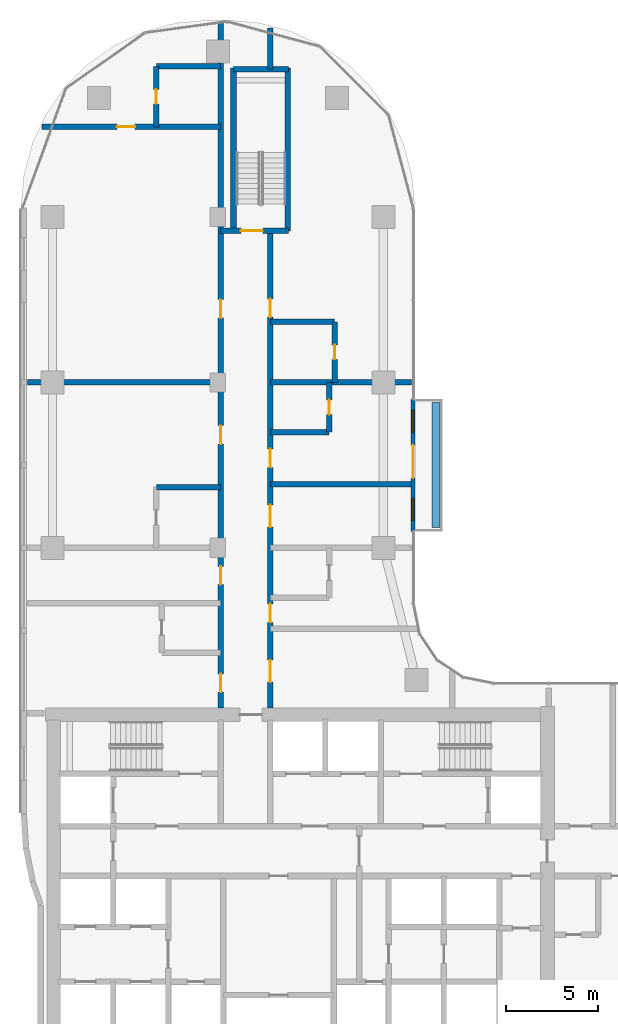
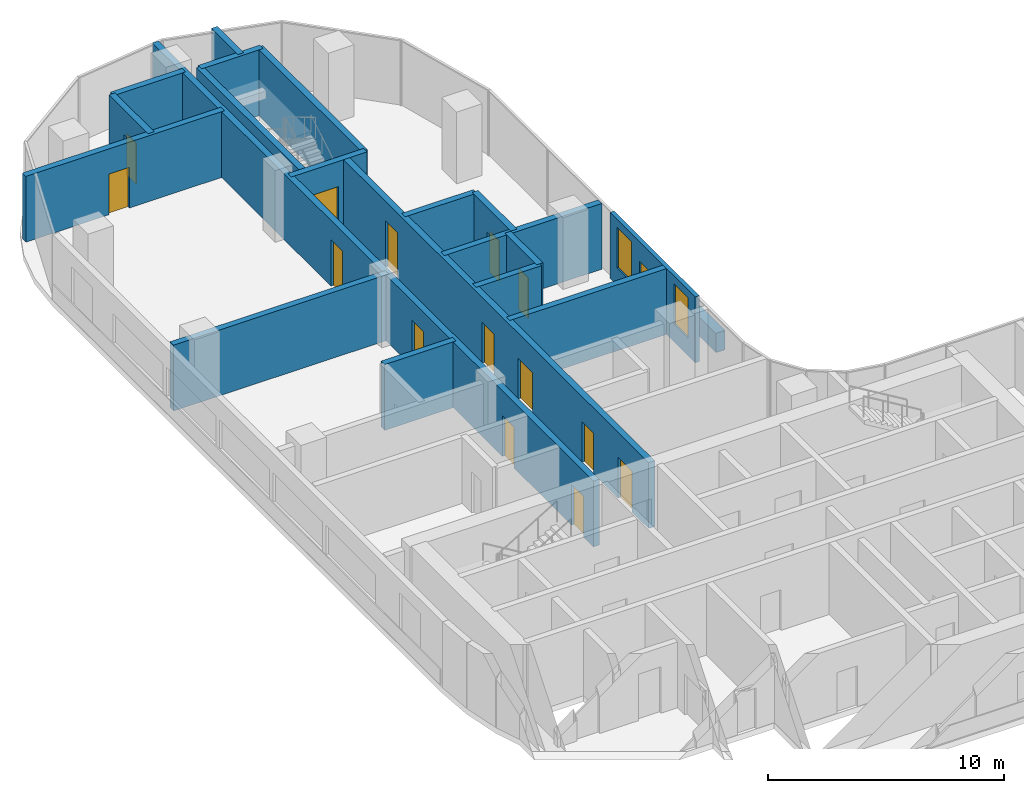
# One storey, part 13 of 23: 20 walls, 15 doors, 2 windows, 17 openings.
"""IFC4 building model written with IfcOpenShell, lengths in metres."""

from ifc_helpers import new_model, si_unit, direction, frame, frame_2d, origin, origin_2d, place, context, subcontext, project, spatial, rectangle, extrude, material, layer, layer_set, type_object, element, fill, save


model = new_model("IFC4")

# Units and contexts
model_context = context("Model", 3, precision=1e-05, world=origin(), true_north=direction((0.0, 1.0)))
body_context = subcontext(model_context, "Body", "Model", "MODEL_VIEW")
ifc_project = project(units=[si_unit("LENGTHUNIT", "METRE"), si_unit("AREAUNIT", "SQUARE_METRE"), si_unit("VOLUMEUNIT", "CUBIC_METRE"), si_unit("PLANEANGLEUNIT", "RADIAN"), si_unit("MASSUNIT", "GRAM", prefix="KILO")], contexts=[model_context])

# Site, building, storey
site_placement = place(None, origin())
site = spatial("IfcSite", under=ifc_project, at=site_placement, CompositionType="ELEMENT")
building_placement = place(site_placement, origin())
building = spatial("IfcBuilding", under=site, at=building_placement, Name="Ogive Portal Towers", CompositionType="ELEMENT")
storey_placement = place(building_placement, frame((0.0, 0.0, 127.800048828125)))
storey = spatial("IfcBuildingStorey", under=building, at=storey_placement, Name="L31", CompositionType="ELEMENT", Elevation=127.800048828125)

# Wall, openings, door, windows
ifc_material_1 = material(Name="Limestone cladding on lightweight block wall", Category="masonry")
ifc_layer_1 = layer(ifc_material_1, 0.199951171875)
ifc_layer_set_1 = layer_set([ifc_layer_1], Name="BALCONY BAY WALL 200")
wall_type_1 = type_object("IfcWallType", Name="BALCONY BAY WALL 200", PredefinedType="SOLIDWALL", material=ifc_layer_set_1)
wall_1_placement = place(storey_placement, frame((51.114990234375, 56.60009765625, 0.0), z_axis=(0.0, 0.0, 1.0), x_axis=(0.0, -1.0, 0.0)))
wall_1 = element("IfcWall", 1, at=wall_1_placement, inside=storey, type_object=wall_type_1, Name="A:L31:f18:bay0", PredefinedType="SOLIDWALL", context=body_context, shape_type="SweptSolid", body=[
    extrude(rectangle(XDim=7.2001953125, YDim=0.199951171875, at=frame_2d((3.60009765625, 0.0))), origin(), (0.0, 0.0, 1.0), 3.39990234375),
])
opening_1_placement = place(wall_1_placement, frame((2.5, 0.0, 0.0)))
opening_1 = element("IfcOpeningElement", 2, at=opening_1_placement, cuts=wall_1, Name="Opening DX038", PredefinedType="OPENING", context=body_context, shape_type="SweptSolid", body=[
    extrude(rectangle(XDim=1.800048828125, YDim=2.39990234375, at=frame_2d((0.89990234375, 1.199951171875))), frame((0.0, 0.10986328125, 0.0), z_axis=(0.0, -1.0, 0.0), x_axis=(1.0, 0.0, 0.0)), (0.0, 0.0, 1.0), 0.219970703125),
])
opening_2_placement = place(wall_1_placement, frame((5.39990234375, 0.0, 0.89990234375)))
opening_2 = element("IfcOpeningElement", 3, at=opening_2_placement, cuts=wall_1, Name="Opening WN2", PredefinedType="OPENING", context=body_context, shape_type="SweptSolid", body=[
    extrude(rectangle(XDim=1.199951171875, YDim=2.10009765625, at=frame_2d((0.60009765625, 1.050048828125))), frame((0.0, 0.10986328125, 0.0), z_axis=(0.0, -1.0, 0.0), x_axis=(1.0, 0.0, 0.0)), (0.0, 0.0, 1.0), 0.219970703125),
])
opening_3_placement = place(wall_1_placement, frame((0.60009765625, 0.0, 0.89990234375)))
opening_3 = element("IfcOpeningElement", 4, at=opening_3_placement, cuts=wall_1, Name="Opening WN2", PredefinedType="OPENING", context=body_context, shape_type="SweptSolid", body=[
    extrude(rectangle(XDim=1.199951171875, YDim=2.10009765625, at=frame_2d((0.60009765625, 1.050048828125))), frame((0.0, 0.10986328125, 0.0), z_axis=(0.0, -1.0, 0.0), x_axis=(1.0, 0.0, 0.0)), (0.0, 0.0, 1.0), 0.219970703125),
])
ifc_material_2 = material(Name="Aluminium 6063 anodised", Category="aluminium")
door_type_1 = type_object("IfcDoorType", Name="BALCONY DOOR 1800x2400", OperationType="DOUBLE_DOOR_SINGLE_SWING", PredefinedType="DOOR", material=ifc_material_2)
door_1_placement = place(opening_1_placement, origin())
door_1 = element("IfcDoor", 5, at=door_1_placement, inside=storey, type_object=door_type_1, Name="A:L31:f18:bay0/o0", OperationType="SINGLE_SWING_LEFT", OverallHeight=2.39990234375, OverallWidth=1.800048828125, PredefinedType="DOOR", context=body_context, shape_type="SweptSolid", body=[
    extrude(rectangle(XDim=1.800048828125, YDim=2.39990234375, at=frame_2d((0.89990234375, 1.199951171875))), frame((0.0, 0.02490234375, 0.0), z_axis=(0.0, -1.0, 0.0), x_axis=(1.0, 0.0, 0.0)), (0.0, 0.0, 1.0), 0.050048828125),
])
fill(opening_1, door_1)
ifc_material_3 = material(Name="Glass, clear low-iron insulated glazing", Category="glass")
window_type = type_object("IfcWindowType", Name="WINDOW BALCONY BAY 1200x2100", PartitioningType="SINGLE_PANEL", PredefinedType="WINDOW", material=ifc_material_3)
window_1_placement = place(opening_2_placement, origin())
window_1 = element("IfcWindow", 6, at=window_1_placement, inside=storey, type_object=window_type, Name="A:L31:f18:bay0/o1", OverallHeight=2.10009765625, OverallWidth=1.199951171875, PartitioningType="SINGLE_PANEL", PredefinedType="WINDOW", context=body_context, shape_type="SweptSolid", body=[
    extrude(rectangle(XDim=1.199951171875, YDim=2.10009765625, at=frame_2d((0.60009765625, 1.050048828125))), frame((0.0, 0.030029296875, 0.0), z_axis=(0.0, -1.0, 0.0), x_axis=(1.0, 0.0, 0.0)), (0.0, 0.0, 1.0), 0.06005859375),
])
fill(opening_2, window_1)
window_2_placement = place(opening_3_placement, origin())
window_2 = element("IfcWindow", 7, at=window_2_placement, inside=storey, type_object=window_type, Name="A:L31:f18:bay0/o2", OverallHeight=2.10009765625, OverallWidth=1.199951171875, PartitioningType="SINGLE_PANEL", PredefinedType="WINDOW", context=body_context, shape_type="SweptSolid", body=[
    extrude(rectangle(XDim=1.199951171875, YDim=2.10009765625, at=frame_2d((0.60009765625, 1.050048828125))), frame((0.0, 0.030029296875, 0.0), z_axis=(0.0, -1.0, 0.0), x_axis=(1.0, 0.0, 0.0)), (0.0, 0.0, 1.0), 0.06005859375),
])
fill(opening_3, window_2)

# Wall
ifc_material_4 = material(Name="Concrete C40/50", Category="concrete")
ifc_layer_2 = layer(ifc_material_4, 0.449951171875)
ifc_layer_set_2 = layer_set([ifc_layer_2], Name="PLANTER WALL 450")
wall_type_2 = type_object("IfcWallType", Name="PLANTER WALL 450", PredefinedType="SOLIDWALL", material=ifc_layer_set_2)
wall_2_placement = place(storey_placement, frame((52.3701171875, 53.0, 0.0), z_axis=(0.0, 0.0, 1.0), x_axis=(1.0, 0.0, 0.0)))
element("IfcWall", 8, at=wall_2_placement, inside=storey, type_object=wall_type_2, Name="Planter S1", PredefinedType="SOLIDWALL", context=body_context, shape_type="SweptSolid", body=[
    extrude(rectangle(XDim=0.449951171875, YDim=6.800048828125, at=origin_2d()), origin(), (0.0, 0.0, 1.0), 1.0),
])

# Wall, opening, door
ifc_material_5 = material(Name="Concrete C50/60", Category="concrete")
ifc_layer_3 = layer(ifc_material_5, 0.300048828125)
ifc_layer_set_3 = layer_set([ifc_layer_3], Name="STAIR WALL 300 C50")
wall_type_3 = type_object("IfcWallType", Name="STAIR WALL 300 C50", PredefinedType="SHEAR", material=ifc_layer_set_3)
wall_3_placement = place(storey_placement, frame((40.64990234375, 65.75, 0.0), z_axis=(0.0, 0.0, 1.0), x_axis=(1.0, 0.0, 0.0)))
wall_3 = element("IfcWall", 9, at=wall_3_placement, inside=storey, type_object=wall_type_3, Name="Stair wall ST-A3 L31", PredefinedType="SHEAR", context=body_context, shape_type="SweptSolid", body=[
    extrude(rectangle(XDim=3.7001953125, YDim=0.300048828125, at=frame_2d((1.85009765625, 0.0))), origin(), (0.0, 0.0, 1.0), 3.39990234375),
])
opening_4_placement = place(wall_3_placement, frame((1.10009765625, 0.0, 0.0)))
opening_4 = element("IfcOpeningElement", 10, at=opening_4_placement, cuts=wall_3, Name="Opening D11-065", PredefinedType="OPENING", context=body_context, shape_type="SweptSolid", body=[
    extrude(rectangle(XDim=1.199951171875, YDim=2.10009765625, at=frame_2d((0.60009765625, 1.050048828125))), frame((0.0, 0.16015625, 0.0), z_axis=(0.0, -1.0, 0.0), x_axis=(1.0, 0.0, 0.0)), (0.0, 0.0, 1.0), 0.320068359375),
])
ifc_material_6 = material(Name="Steel fire door", Category="steel")
door_type_2 = type_object("IfcDoorType", Name="DT-STAIR-1200x2100-FD90S", OperationType="SINGLE_SWING_LEFT", PredefinedType="DOOR", material=ifc_material_6)
door_2_placement = place(opening_4_placement, origin())
door_2 = element("IfcDoor", 11, at=door_2_placement, inside=storey, type_object=door_type_2, Name="Door D11-065", OperationType="SINGLE_SWING_RIGHT", OverallHeight=2.10009765625, OverallWidth=1.199951171875, PredefinedType="DOOR", context=body_context, shape_type="SweptSolid", body=[
    extrude(rectangle(XDim=1.199951171875, YDim=2.10009765625, at=frame_2d((0.60009765625, 1.050048828125))), frame((0.0, 0.02490234375, 0.0), z_axis=(0.0, -1.0, 0.0), x_axis=(1.0, 0.0, 0.0)), (0.0, 0.0, 1.0), 0.050048828125),
])
fill(opening_4, door_2)

# Walls
wall_4_placement = place(storey_placement, frame((41.35009765625, 74.550048828125, 0.0), z_axis=(0.0, 0.0, 1.0), x_axis=(1.0, 0.0, 0.0)))
element("IfcWall", 12, at=wall_4_placement, inside=storey, type_object=wall_type_3, Name="Stair wall ST-A3 L31", PredefinedType="SHEAR", context=body_context, shape_type="SweptSolid", body=[
    extrude(rectangle(XDim=3.0, YDim=0.300048828125, at=frame_2d((1.5, 0.0))), origin(), (0.0, 0.0, 1.0), 3.39990234375),
])
for number, where, z_axis, x_axis, name in (
    (13, (41.35009765625, 65.75, 0.0), (0.0, 0.0, 1.0), (0.0, 1.0, 0.0), "Stair wall ST-A3 L31"),
    (14, (44.300048828125, 65.75, 0.0), (0.0, 0.0, 1.0), (0.0, 1.0, 0.0), "Stair wall ST-A3 L31"),
):
    element("IfcWall", number, at=place(storey_placement, frame(where, z_axis=z_axis, x_axis=x_axis)), inside=storey, type_object=wall_type_3, Name=name, PredefinedType="SHEAR", context=body_context, shape_type="SweptSolid", body=[
        extrude(rectangle(XDim=8.85009765625, YDim=0.300048828125, at=frame_2d((4.425048828125, 0.0))), origin(), (0.0, 0.0, 1.0), 3.39990234375),
    ])
ifc_material_7 = material(Name="Gypsum board partition on steel studs", Category="steel")
ifc_layer_4 = layer(ifc_material_7, 0.300048828125)
ifc_layer_set_4 = layer_set([ifc_layer_4], Name="WT-PART-300-EI 60")
wall_type_4 = type_object("IfcWallType", Name="WT-PART-300-EI 60", PredefinedType="PARTITIONING", material=ifc_layer_set_4)
wall_5_placement = place(storey_placement, frame((37.14990234375, 51.800048828125, 0.0), z_axis=(0.0, 0.0, 1.0), x_axis=(1.0, 0.0, 0.0)))
element("IfcWall", 15, at=wall_5_placement, inside=storey, type_object=wall_type_4, Name="Wall L31:w022", PredefinedType="PARTITIONING", context=body_context, shape_type="SweptSolid", body=[
    extrude(rectangle(XDim=3.5, YDim=0.300048828125, at=frame_2d((1.75, 0.0))), origin(), (0.0, 0.0, 1.0), 3.39990234375),
])
wall_6_placement = place(storey_placement, frame((43.35009765625, 51.969970703125, 0.0), z_axis=(0.0, 0.0, 1.0), x_axis=(1.0, 0.0, 0.0)))
element("IfcWall", 16, at=wall_6_placement, inside=storey, type_object=wall_type_4, Name="Wall L31:w023", PredefinedType="PARTITIONING", context=body_context, shape_type="SweptSolid", body=[
    extrude(rectangle(XDim=7.65478515625, YDim=0.300048828125, at=frame_2d((3.827392578125, 0.0))), origin(), (0.0, 0.0, 1.0), 3.39990234375),
])
wall_7_placement = place(storey_placement, frame((43.35009765625, 54.800048828125, 0.0), z_axis=(0.0, 0.0, 1.0), x_axis=(1.0, 0.0, 0.0)))
element("IfcWall", 17, at=wall_7_placement, inside=storey, type_object=wall_type_4, Name="Wall L31:w024", PredefinedType="PARTITIONING", context=body_context, shape_type="SweptSolid", body=[
    extrude(rectangle(XDim=3.199951171875, YDim=0.300048828125, at=frame_2d((1.60009765625, 0.0))), origin(), (0.0, 0.0, 1.0), 3.39990234375),
])
wall_8_placement = place(storey_placement, frame((30.135009765625, 57.5, 0.0), z_axis=(0.0, 0.0, 1.0), x_axis=(1.0, 0.0, 0.0)))
element("IfcWall", 18, at=wall_8_placement, inside=storey, type_object=wall_type_4, Name="Wall L31:w025", PredefinedType="PARTITIONING", context=body_context, shape_type="SweptSolid", body=[
    extrude(rectangle(XDim=10.514892578125, YDim=0.300048828125, at=frame_2d((5.25732421875, 0.0))), origin(), (0.0, 0.0, 1.0), 3.39990234375),
])
wall_9_placement = place(storey_placement, frame((43.35009765625, 57.5, 0.0), z_axis=(0.0, 0.0, 1.0), x_axis=(1.0, 0.0, 0.0)))
element("IfcWall", 19, at=wall_9_placement, inside=storey, type_object=wall_type_4, Name="Wall L31:w026", PredefinedType="PARTITIONING", context=body_context, shape_type="SweptSolid", body=[
    extrude(rectangle(XDim=7.69482421875, YDim=0.300048828125, at=frame_2d((3.847412109375, 0.0))), origin(), (0.0, 0.0, 1.0), 3.39990234375),
])
wall_10_placement = place(storey_placement, frame((43.35009765625, 60.800048828125, 0.0), z_axis=(0.0, 0.0, 1.0), x_axis=(1.0, 0.0, 0.0)))
element("IfcWall", 20, at=wall_10_placement, inside=storey, type_object=wall_type_4, Name="Wall L31:w027", PredefinedType="PARTITIONING", context=body_context, shape_type="SweptSolid", body=[
    extrude(rectangle(XDim=3.5, YDim=0.300048828125, at=frame_2d((1.75, 0.0))), origin(), (0.0, 0.0, 1.0), 3.39990234375),
])

# Wall, opening, door
wall_11_placement = place(storey_placement, frame((30.944091796875, 71.39990234375, 0.0), z_axis=(0.0, 0.0, 1.0), x_axis=(1.0, 0.0, 0.0)))
wall_11 = element("IfcWall", 21, at=wall_11_placement, inside=storey, type_object=wall_type_4, Name="Wall L31:w029", PredefinedType="PARTITIONING", context=body_context, shape_type="SweptSolid", body=[
    extrude(rectangle(XDim=9.705810546875, YDim=0.300048828125, at=frame_2d((4.85302734375, 0.0))), origin(), (0.0, 0.0, 1.0), 3.39990234375),
])
opening_5_placement = place(wall_11_placement, frame((4.055908203125, 0.0, 0.0)))
opening_5 = element("IfcOpeningElement", 22, at=opening_5_placement, cuts=wall_11, Name="Opening D11-059", PredefinedType="OPENING", context=body_context, shape_type="SweptSolid", body=[
    extrude(rectangle(XDim=1.0, YDim=2.10009765625, at=frame_2d((0.5, 1.050048828125))), frame((0.0, 0.16015625, 0.0), z_axis=(0.0, -1.0, 0.0), x_axis=(1.0, 0.0, 0.0)), (0.0, 0.0, 1.0), 0.320068359375),
])
door_type_3 = type_object("IfcDoorType", Name="DT-ENTRY-1000x2100-FD60S", OperationType="SINGLE_SWING_LEFT", PredefinedType="DOOR", material=ifc_material_6)
door_3_placement = place(opening_5_placement, origin())
door_3 = element("IfcDoor", 23, at=door_3_placement, inside=storey, type_object=door_type_3, Name="Door D11-059", OperationType="SINGLE_SWING_RIGHT", OverallHeight=2.10009765625, OverallWidth=1.0, PredefinedType="DOOR", context=body_context, shape_type="SweptSolid", body=[
    extrude(rectangle(XDim=1.0, YDim=2.10009765625, at=frame_2d((0.5, 1.050048828125))), frame((0.0, 0.02490234375, 0.0), z_axis=(0.0, -1.0, 0.0), x_axis=(1.0, 0.0, 0.0)), (0.0, 0.0, 1.0), 0.050048828125),
])
fill(opening_5, door_3)

# Wall
wall_12_placement = place(storey_placement, frame((37.14990234375, 74.699951171875, 0.0), z_axis=(0.0, 0.0, 1.0), x_axis=(1.0, 0.0, 0.0)))
element("IfcWall", 24, at=wall_12_placement, inside=storey, type_object=wall_type_4, Name="Wall L31:w031", PredefinedType="PARTITIONING", context=body_context, shape_type="SweptSolid", body=[
    extrude(rectangle(XDim=3.5, YDim=0.300048828125, at=frame_2d((1.75, 0.0))), origin(), (0.0, 0.0, 1.0), 3.39990234375),
])

# Wall, opening, door
wall_13_placement = place(storey_placement, frame((37.14990234375, 71.39990234375, 0.0), z_axis=(0.0, 0.0, 1.0), x_axis=(0.0, 1.0, 0.0)))
wall_13 = element("IfcWall", 25, at=wall_13_placement, inside=storey, type_object=wall_type_4, Name="Wall L31:w033", PredefinedType="PARTITIONING", context=body_context, shape_type="SweptSolid", body=[
    extrude(rectangle(XDim=3.300048828125, YDim=0.300048828125, at=frame_2d((1.64990234375, 0.0))), origin(), (0.0, 0.0, 1.0), 3.39990234375),
])
opening_6_placement = place(wall_13_placement, frame((1.25, 0.0, 0.0)))
opening_6 = element("IfcOpeningElement", 26, at=opening_6_placement, cuts=wall_13, Name="Opening D11-060", PredefinedType="OPENING", context=body_context, shape_type="SweptSolid", body=[
    extrude(rectangle(XDim=0.800048828125, YDim=2.10009765625, at=frame_2d((0.39990234375, 1.050048828125))), frame((0.0, 0.16015625, 0.0), z_axis=(0.0, -1.0, 0.0), x_axis=(1.0, 0.0, 0.0)), (0.0, 0.0, 1.0), 0.320068359375),
])
door_type_4 = type_object("IfcDoorType", Name="DT-BATH-800x2100-FD60S", OperationType="SINGLE_SWING_LEFT", PredefinedType="DOOR", material=ifc_material_6)
door_4_placement = place(opening_6_placement, origin())
door_4 = element("IfcDoor", 27, at=door_4_placement, inside=storey, type_object=door_type_4, Name="Door D11-060", OperationType="SINGLE_SWING_LEFT", OverallHeight=2.10009765625, OverallWidth=0.800048828125, PredefinedType="DOOR", context=body_context, shape_type="SweptSolid", body=[
    extrude(rectangle(XDim=0.800048828125, YDim=2.10009765625, at=frame_2d((0.39990234375, 1.050048828125))), frame((0.0, 0.02490234375, 0.0), z_axis=(0.0, -1.0, 0.0), x_axis=(1.0, 0.0, 0.0)), (0.0, 0.0, 1.0), 0.050048828125),
])
fill(opening_6, door_4)

# Wall, openings, doors
wall_14_placement = place(storey_placement, frame((40.64990234375, 39.800048828125, 0.0), z_axis=(0.0, 0.0, 1.0), x_axis=(0.0, 1.0, 0.0)))
wall_14 = element("IfcWall", 28, at=wall_14_placement, inside=storey, type_object=wall_type_4, Name="Wall L31:w035", PredefinedType="PARTITIONING", context=body_context, shape_type="SweptSolid", body=[
    extrude(rectangle(XDim=37.304931640625, YDim=0.300048828125, at=frame_2d((18.65234375, 0.0))), origin(), (0.0, 0.0, 1.0), 3.39990234375),
])
opening_7_placement = place(wall_14_placement, frame((0.85009765625, 0.0, 0.0)))
opening_7 = element("IfcOpeningElement", 29, at=opening_7_placement, cuts=wall_14, Name="Opening D11-049", PredefinedType="OPENING", context=body_context, shape_type="SweptSolid", body=[
    extrude(rectangle(XDim=1.0, YDim=2.10009765625, at=frame_2d((0.5, 1.050048828125))), frame((0.0, 0.16015625, 0.0), z_axis=(0.0, -1.0, 0.0), x_axis=(1.0, 0.0, 0.0)), (0.0, 0.0, 1.0), 0.320068359375),
])
opening_8_placement = place(wall_14_placement, frame((6.699951171875, 0.0, 0.0)))
opening_8 = element("IfcOpeningElement", 30, at=opening_8_placement, cuts=wall_14, Name="Opening D11-050", PredefinedType="OPENING", context=body_context, shape_type="SweptSolid", body=[
    extrude(rectangle(XDim=1.0, YDim=2.10009765625, at=frame_2d((0.5, 1.050048828125))), frame((0.0, 0.16015625, 0.0), z_axis=(0.0, -1.0, 0.0), x_axis=(1.0, 0.0, 0.0)), (0.0, 0.0, 1.0), 0.320068359375),
])
opening_9_placement = place(wall_14_placement, frame((14.35009765625, 0.0, 0.0)))
opening_9 = element("IfcOpeningElement", 31, at=opening_9_placement, cuts=wall_14, Name="Opening D11-055", PredefinedType="OPENING", context=body_context, shape_type="SweptSolid", body=[
    extrude(rectangle(XDim=1.0, YDim=2.39990234375, at=frame_2d((0.5, 1.199951171875))), frame((0.0, 0.16015625, 0.0), z_axis=(0.0, -1.0, 0.0), x_axis=(1.0, 0.0, 0.0)), (0.0, 0.0, 1.0), 0.320068359375),
])
opening_10_placement = place(wall_14_placement, frame((21.199951171875, 0.0, 0.0)))
opening_10 = element("IfcOpeningElement", 32, at=opening_10_placement, cuts=wall_14, Name="Opening D11-058", PredefinedType="OPENING", context=body_context, shape_type="SweptSolid", body=[
    extrude(rectangle(XDim=1.0, YDim=2.39990234375, at=frame_2d((0.5, 1.199951171875))), frame((0.0, 0.16015625, 0.0), z_axis=(0.0, -1.0, 0.0), x_axis=(1.0, 0.0, 0.0)), (0.0, 0.0, 1.0), 0.320068359375),
])
door_5_placement = place(opening_7_placement, origin())
door_5 = element("IfcDoor", 33, at=door_5_placement, inside=storey, type_object=door_type_3, Name="Door D11-049", OperationType="SINGLE_SWING_LEFT", OverallHeight=2.10009765625, OverallWidth=1.0, PredefinedType="DOOR", context=body_context, shape_type="SweptSolid", body=[
    extrude(rectangle(XDim=1.0, YDim=2.10009765625, at=frame_2d((0.5, 1.050048828125))), frame((0.0, 0.02490234375, 0.0), z_axis=(0.0, -1.0, 0.0), x_axis=(1.0, 0.0, 0.0)), (0.0, 0.0, 1.0), 0.050048828125),
])
fill(opening_7, door_5)
door_6_placement = place(opening_8_placement, origin())
door_6 = element("IfcDoor", 34, at=door_6_placement, inside=storey, type_object=door_type_3, Name="Door D11-050", OperationType="SINGLE_SWING_RIGHT", OverallHeight=2.10009765625, OverallWidth=1.0, PredefinedType="DOOR", context=body_context, shape_type="SweptSolid", body=[
    extrude(rectangle(XDim=1.0, YDim=2.10009765625, at=frame_2d((0.5, 1.050048828125))), frame((0.0, 0.02490234375, 0.0), z_axis=(0.0, -1.0, 0.0), x_axis=(1.0, 0.0, 0.0)), (0.0, 0.0, 1.0), 0.050048828125),
])
fill(opening_8, door_6)
door_type_5 = type_object("IfcDoorType", Name="DT-ENTRY-1000x2400-FD60S", OperationType="SINGLE_SWING_LEFT", PredefinedType="DOOR", material=ifc_material_6)
door_7_placement = place(opening_9_placement, origin())
door_7 = element("IfcDoor", 35, at=door_7_placement, inside=storey, type_object=door_type_5, Name="Door D11-055", OperationType="SINGLE_SWING_LEFT", OverallHeight=2.39990234375, OverallWidth=1.0, PredefinedType="DOOR", context=body_context, shape_type="SweptSolid", body=[
    extrude(rectangle(XDim=1.0, YDim=2.39990234375, at=frame_2d((0.5, 1.199951171875))), frame((0.0, 0.02490234375, 0.0), z_axis=(0.0, -1.0, 0.0), x_axis=(1.0, 0.0, 0.0)), (0.0, 0.0, 1.0), 0.050048828125),
])
fill(opening_9, door_7)
door_8_placement = place(opening_10_placement, origin())
door_8 = element("IfcDoor", 36, at=door_8_placement, inside=storey, type_object=door_type_5, Name="Door D11-058", OperationType="SINGLE_SWING_LEFT", OverallHeight=2.39990234375, OverallWidth=1.0, PredefinedType="DOOR", context=body_context, shape_type="SweptSolid", body=[
    extrude(rectangle(XDim=1.0, YDim=2.39990234375, at=frame_2d((0.5, 1.199951171875))), frame((0.0, 0.02490234375, 0.0), z_axis=(0.0, -1.0, 0.0), x_axis=(1.0, 0.0, 0.0)), (0.0, 0.0, 1.0), 0.050048828125),
])
fill(opening_10, door_8)

# Wall, opening, door
wall_15_placement = place(storey_placement, frame((46.550048828125, 54.800048828125, 0.0), z_axis=(0.0, 0.0, 1.0), x_axis=(0.0, 1.0, 0.0)))
wall_15 = element("IfcWall", 37, at=wall_15_placement, inside=storey, type_object=wall_type_4, Name="Wall L31:w041", PredefinedType="PARTITIONING", context=body_context, shape_type="SweptSolid", body=[
    extrude(rectangle(XDim=2.699951171875, YDim=0.300048828125, at=frame_2d((1.35009765625, 0.0))), origin(), (0.0, 0.0, 1.0), 3.39990234375),
])
opening_11_placement = place(wall_15_placement, frame((0.949951171875, 0.0, 0.0)))
opening_11 = element("IfcOpeningElement", 38, at=opening_11_placement, cuts=wall_15, Name="Opening D11-052", PredefinedType="OPENING", context=body_context, shape_type="SweptSolid", body=[
    extrude(rectangle(XDim=0.800048828125, YDim=2.10009765625, at=frame_2d((0.39990234375, 1.050048828125))), frame((0.0, 0.16015625, 0.0), z_axis=(0.0, -1.0, 0.0), x_axis=(1.0, 0.0, 0.0)), (0.0, 0.0, 1.0), 0.320068359375),
])
door_9_placement = place(opening_11_placement, origin())
door_9 = element("IfcDoor", 39, at=door_9_placement, inside=storey, type_object=door_type_4, Name="Door D11-052", OperationType="SINGLE_SWING_RIGHT", OverallHeight=2.10009765625, OverallWidth=0.800048828125, PredefinedType="DOOR", context=body_context, shape_type="SweptSolid", body=[
    extrude(rectangle(XDim=0.800048828125, YDim=2.10009765625, at=frame_2d((0.39990234375, 1.050048828125))), frame((0.0, 0.02490234375, 0.0), z_axis=(0.0, -1.0, 0.0), x_axis=(1.0, 0.0, 0.0)), (0.0, 0.0, 1.0), 0.050048828125),
])
fill(opening_11, door_9)

wall_16_placement = place(storey_placement, frame((46.85009765625, 57.5, 0.0), z_axis=(0.0, 0.0, 1.0), x_axis=(0.0, 1.0, 0.0)))
wall_16 = element("IfcWall", 40, at=wall_16_placement, inside=storey, type_object=wall_type_4, Name="Wall L31:w042", PredefinedType="PARTITIONING", context=body_context, shape_type="SweptSolid", body=[
    extrude(rectangle(XDim=3.300048828125, YDim=0.300048828125, at=frame_2d((1.64990234375, 0.0))), origin(), (0.0, 0.0, 1.0), 3.39990234375),
])
opening_12_placement = place(wall_16_placement, frame((1.25, 0.0, 0.0)))
opening_12 = element("IfcOpeningElement", 41, at=opening_12_placement, cuts=wall_16, Name="Opening D11-056", PredefinedType="OPENING", context=body_context, shape_type="SweptSolid", body=[
    extrude(rectangle(XDim=0.800048828125, YDim=2.10009765625, at=frame_2d((0.39990234375, 1.050048828125))), frame((0.0, 0.16015625, 0.0), z_axis=(0.0, -1.0, 0.0), x_axis=(1.0, 0.0, 0.0)), (0.0, 0.0, 1.0), 0.320068359375),
])
door_10_placement = place(opening_12_placement, origin())
door_10 = element("IfcDoor", 42, at=door_10_placement, inside=storey, type_object=door_type_4, Name="Door D11-056", OperationType="SINGLE_SWING_LEFT", OverallHeight=2.10009765625, OverallWidth=0.800048828125, PredefinedType="DOOR", context=body_context, shape_type="SweptSolid", body=[
    extrude(rectangle(XDim=0.800048828125, YDim=2.10009765625, at=frame_2d((0.39990234375, 1.050048828125))), frame((0.0, 0.02490234375, 0.0), z_axis=(0.0, -1.0, 0.0), x_axis=(1.0, 0.0, 0.0)), (0.0, 0.0, 1.0), 0.050048828125),
])
fill(opening_12, door_10)

# Wall, openings, doors
ifc_layer_5 = layer(ifc_material_4, 0.300048828125)
ifc_layer_set_5 = layer_set([ifc_layer_5], Name="WT-SHAFT-300")
wall_type_5 = type_object("IfcWallType", Name="WT-SHAFT-300", PredefinedType="SOLIDWALL", material=ifc_layer_set_5)
wall_17_placement = place(storey_placement, frame((43.35009765625, 39.800048828125, 0.0), z_axis=(0.0, 0.0, 1.0), x_axis=(0.0, 1.0, 0.0)))
wall_17 = element("IfcWall", 43, at=wall_17_placement, inside=storey, type_object=wall_type_5, Name="Wall L31:w037", PredefinedType="SOLIDWALL", context=body_context, shape_type="SweptSolid", body=[
    extrude(rectangle(XDim=26.0, YDim=0.300048828125, at=frame_2d((13.0, 0.0))), origin(), (0.0, 0.0, 1.0), 3.39990234375),
])
opening_13_placement = place(wall_17_placement, frame((1.39990234375, 0.0, 0.0)))
opening_13 = element("IfcOpeningElement", 44, at=opening_13_placement, cuts=wall_17, Name="Opening D11-045", PredefinedType="OPENING", context=body_context, shape_type="SweptSolid", body=[
    extrude(rectangle(XDim=1.199951171875, YDim=2.10009765625, at=frame_2d((0.60009765625, 1.050048828125))), frame((0.0, 0.16015625, 0.0), z_axis=(0.0, -1.0, 0.0), x_axis=(1.0, 0.0, 0.0)), (0.0, 0.0, 1.0), 0.320068359375),
])
opening_14_placement = place(wall_17_placement, frame((4.64990234375, 0.0, 0.0)))
opening_14 = element("IfcOpeningElement", 45, at=opening_14_placement, cuts=wall_17, Name="Opening D11-047", PredefinedType="OPENING", context=body_context, shape_type="SweptSolid", body=[
    extrude(rectangle(XDim=1.0, YDim=2.10009765625, at=frame_2d((0.5, 1.050048828125))), frame((0.0, 0.16015625, 0.0), z_axis=(0.0, -1.0, 0.0), x_axis=(1.0, 0.0, 0.0)), (0.0, 0.0, 1.0), 0.320068359375),
])
opening_15_placement = place(wall_17_placement, frame((9.8349609375, 0.0, 0.0)))
opening_15 = element("IfcOpeningElement", 46, at=opening_15_placement, cuts=wall_17, Name="Opening D11-051", PredefinedType="OPENING", context=body_context, shape_type="SweptSolid", body=[
    extrude(rectangle(XDim=1.199951171875, YDim=2.10009765625, at=frame_2d((0.60009765625, 1.050048828125))), frame((0.0, 0.16015625, 0.0), z_axis=(0.0, -1.0, 0.0), x_axis=(1.0, 0.0, 0.0)), (0.0, 0.0, 1.0), 0.320068359375),
])
opening_16_placement = place(wall_17_placement, frame((13.0849609375, 0.0, 0.0)))
opening_16 = element("IfcOpeningElement", 47, at=opening_16_placement, cuts=wall_17, Name="Opening D11-053", PredefinedType="OPENING", context=body_context, shape_type="SweptSolid", body=[
    extrude(rectangle(XDim=1.0, YDim=2.10009765625, at=frame_2d((0.5, 1.050048828125))), frame((0.0, 0.16015625, 0.0), z_axis=(0.0, -1.0, 0.0), x_axis=(1.0, 0.0, 0.0)), (0.0, 0.0, 1.0), 0.320068359375),
])
opening_17_placement = place(wall_17_placement, frame((21.25, 0.0, 0.0)))
opening_17 = element("IfcOpeningElement", 48, at=opening_17_placement, cuts=wall_17, Name="Opening D11-057", PredefinedType="OPENING", context=body_context, shape_type="SweptSolid", body=[
    extrude(rectangle(XDim=1.0, YDim=2.39990234375, at=frame_2d((0.5, 1.199951171875))), frame((0.0, 0.16015625, 0.0), z_axis=(0.0, -1.0, 0.0), x_axis=(1.0, 0.0, 0.0)), (0.0, 0.0, 1.0), 0.320068359375),
])
door_type_6 = type_object("IfcDoorType", Name="DT-ENTRY-1000x2100-FD90S", OperationType="SINGLE_SWING_LEFT", PredefinedType="DOOR", material=ifc_material_6)
door_11_placement = place(opening_14_placement, origin())
door_11 = element("IfcDoor", 49, at=door_11_placement, inside=storey, type_object=door_type_6, Name="Door D11-047", OperationType="SINGLE_SWING_LEFT", OverallHeight=2.10009765625, OverallWidth=1.0, PredefinedType="DOOR", context=body_context, shape_type="SweptSolid", body=[
    extrude(rectangle(XDim=1.0, YDim=2.10009765625, at=frame_2d((0.5, 1.050048828125))), frame((0.0, 0.02490234375, 0.0), z_axis=(0.0, -1.0, 0.0), x_axis=(1.0, 0.0, 0.0)), (0.0, 0.0, 1.0), 0.050048828125),
])
fill(opening_14, door_11)
door_12_placement = place(opening_16_placement, origin())
door_12 = element("IfcDoor", 50, at=door_12_placement, inside=storey, type_object=door_type_6, Name="Door D11-053", OperationType="SINGLE_SWING_LEFT", OverallHeight=2.10009765625, OverallWidth=1.0, PredefinedType="DOOR", context=body_context, shape_type="SweptSolid", body=[
    extrude(rectangle(XDim=1.0, YDim=2.10009765625, at=frame_2d((0.5, 1.050048828125))), frame((0.0, 0.02490234375, 0.0), z_axis=(0.0, -1.0, 0.0), x_axis=(1.0, 0.0, 0.0)), (0.0, 0.0, 1.0), 0.050048828125),
])
fill(opening_16, door_12)
door_type_7 = type_object("IfcDoorType", Name="DT-ENTRY-1000x2400-FD90S", OperationType="SINGLE_SWING_LEFT", PredefinedType="DOOR", material=ifc_material_6)
door_13_placement = place(opening_17_placement, origin())
door_13 = element("IfcDoor", 51, at=door_13_placement, inside=storey, type_object=door_type_7, Name="Door D11-057", OperationType="SINGLE_SWING_RIGHT", OverallHeight=2.39990234375, OverallWidth=1.0, PredefinedType="DOOR", context=body_context, shape_type="SweptSolid", body=[
    extrude(rectangle(XDim=1.0, YDim=2.39990234375, at=frame_2d((0.5, 1.199951171875))), frame((0.0, 0.02490234375, 0.0), z_axis=(0.0, -1.0, 0.0), x_axis=(1.0, 0.0, 0.0)), (0.0, 0.0, 1.0), 0.050048828125),
])
fill(opening_17, door_13)
door_type_8 = type_object("IfcDoorType", Name="DT-ENTRY-1200x2100-FD90S", OperationType="SINGLE_SWING_LEFT", PredefinedType="DOOR", material=ifc_material_6)
door_14_placement = place(opening_13_placement, origin())
door_14 = element("IfcDoor", 52, at=door_14_placement, inside=storey, type_object=door_type_8, Name="Door D11-045", OperationType="SINGLE_SWING_LEFT", OverallHeight=2.10009765625, OverallWidth=1.199951171875, PredefinedType="DOOR", context=body_context, shape_type="SweptSolid", body=[
    extrude(rectangle(XDim=1.199951171875, YDim=2.10009765625, at=frame_2d((0.60009765625, 1.050048828125))), frame((0.0, 0.02490234375, 0.0), z_axis=(0.0, -1.0, 0.0), x_axis=(1.0, 0.0, 0.0)), (0.0, 0.0, 1.0), 0.050048828125),
])
fill(opening_13, door_14)
door_15_placement = place(opening_15_placement, origin())
door_15 = element("IfcDoor", 53, at=door_15_placement, inside=storey, type_object=door_type_8, Name="Door D11-051", OperationType="SINGLE_SWING_LEFT", OverallHeight=2.10009765625, OverallWidth=1.199951171875, PredefinedType="DOOR", context=body_context, shape_type="SweptSolid", body=[
    extrude(rectangle(XDim=1.199951171875, YDim=2.10009765625, at=frame_2d((0.60009765625, 1.050048828125))), frame((0.0, 0.02490234375, 0.0), z_axis=(0.0, -1.0, 0.0), x_axis=(1.0, 0.0, 0.0)), (0.0, 0.0, 1.0), 0.050048828125),
])
fill(opening_15, door_15)

# Wall
wall_18_placement = place(storey_placement, frame((43.35009765625, 74.550048828125, 0.0), z_axis=(0.0, 0.0, 1.0), x_axis=(0.0, 1.0, 0.0)))
element("IfcWall", 54, at=wall_18_placement, inside=storey, type_object=wall_type_5, Name="Wall L31:w038", PredefinedType="SOLIDWALL", context=body_context, shape_type="SweptSolid", body=[
    extrude(rectangle(XDim=2.241943359375, YDim=0.300048828125, at=frame_2d((1.12109375, 0.0))), origin(), (0.0, 0.0, 1.0), 3.39990234375),
])

save(model, "model.ifc")
